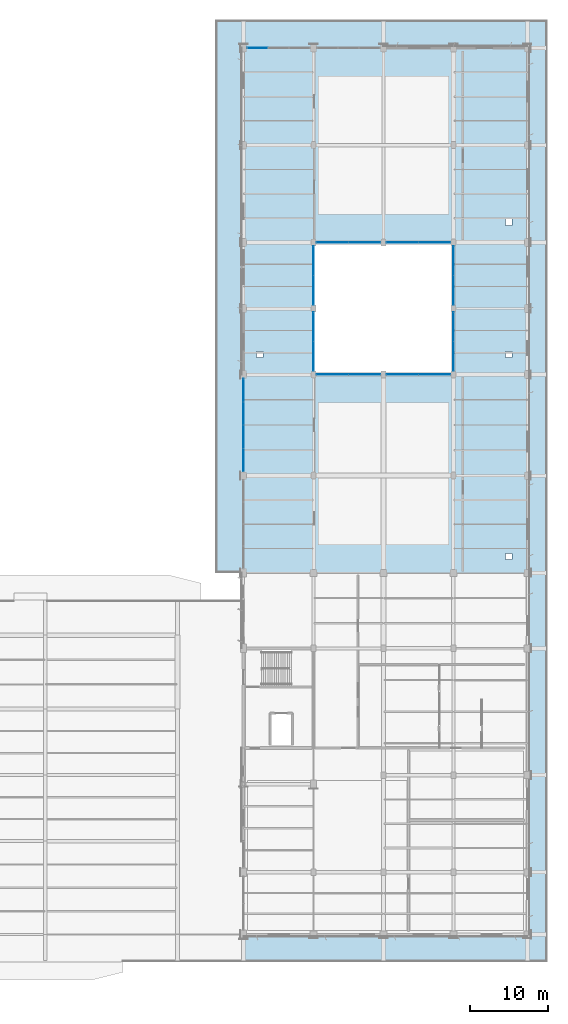
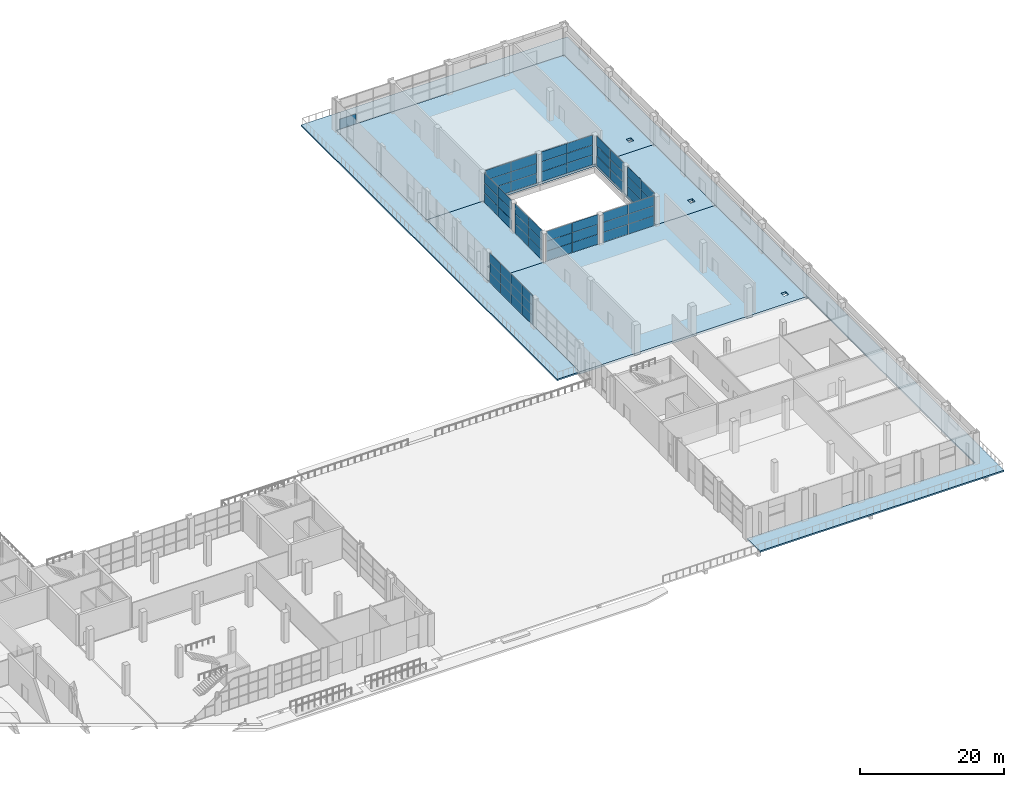
# One storey, part 64 of 90: 61 plates, 5 slabs, 10 elements without a shape of their own.
"""IFC4 building model written with IfcOpenShell, lengths in metres."""

from ifc_helpers import new_model, si_unit, direction, frame, origin, origin_2d, place, context, subcontext, project, spatial, polyline, rectangle, outline, extrude, material, layer, layer_set, type_object, element, aggregate, save


model = new_model("IFC4")

# Units and contexts
model_context = context("Model", 3, precision=1e-05, world=origin(), true_north=direction((0.0, 1.0)))
body_context = subcontext(model_context, "Body", "Model", "MODEL_VIEW")
ifc_project = project(units=[si_unit("LENGTHUNIT", "METRE"), si_unit("AREAUNIT", "SQUARE_METRE"), si_unit("VOLUMEUNIT", "CUBIC_METRE"), si_unit("PLANEANGLEUNIT", "RADIAN"), si_unit("MASSUNIT", "GRAM", prefix="KILO")], contexts=[model_context])

# Site, building, storey
site_placement = place(None, origin())
site = spatial("IfcSite", under=ifc_project, at=site_placement, CompositionType="ELEMENT")
building_placement = place(site_placement, origin())
building = spatial("IfcBuilding", under=site, at=building_placement, Name="Solvikara Media Centre", CompositionType="ELEMENT")
storey_placement = place(building_placement, origin())
storey = spatial("IfcBuildingStorey", under=building, at=storey_placement, Name="L00", CompositionType="ELEMENT", Elevation=0.0)

# Curtain wall, plates
ifc_material_1 = material(Name="Anodised aluminium EN AW-6063", Category="aluminium")
curtain_wall_type_1 = type_object("IfcCurtainWallType", Name="CW-11", PredefinedType="NOTDEFINED", material=ifc_material_1)
curtain_wall_1_placement = place(storey_placement, origin())
curtain_wall_1 = element("IfcCurtainWall", 1, at=curtain_wall_1_placement, inside=storey, type_object=curtain_wall_type_1, Name="CW-L00-V2W-1-S2", PredefinedType="NOTDEFINED")
ifc_material_2 = material(Name="Insulated silver-pearl glass spandrel panel", Category="glass")
ifc_layer_1 = layer(ifc_material_2, 0.054931640625)
ifc_layer_set_1 = layer_set([ifc_layer_1], Name="Insulated silver-pearl glass spandrel panel")
plate_type_1 = type_object("IfcPlateType", Name="PN-07", PredefinedType="CURTAIN_PANEL", material=ifc_layer_set_1)
plate_1_placement = place(storey_placement, frame((127.5, 61.030029296875, 1.7216796875), z_axis=(0.0, 0.0, 1.0), x_axis=(0.0, 1.0, 0.0)))
plate_1 = element("IfcPlate", 2, at=plate_1_placement, type_object=plate_type_1, Name="CW-L00-V2W-1-S2-P0001", PredefinedType="CURTAIN_PANEL", context=body_context, shape_type="SweptSolid", body=[
    extrude(rectangle(XDim=2.949951171875, YDim=0.054931640625, at=origin_2d()), origin(), (0.0, 0.0, 1.0), 1.656982421875),
])
plate_2_placement = place(storey_placement, frame((127.5, 64.010009765625, 0.03466796875), z_axis=(0.0, 0.0, 1.0), x_axis=(0.0, 1.0, 0.0)))
plate_2 = element("IfcPlate", 3, at=plate_2_placement, type_object=plate_type_1, Name="CW-L00-V2W-1-S2-P0100", PredefinedType="CURTAIN_PANEL", context=body_context, shape_type="SweptSolid", body=[
    extrude(rectangle(XDim=2.949951171875, YDim=0.054931640625, at=origin_2d()), origin(), (0.0, 0.0, 1.0), 1.656982421875),
])
plate_3_placement = place(storey_placement, frame((127.5, 64.010009765625, 3.40869140625), z_axis=(0.0, 0.0, 1.0), x_axis=(0.0, 1.0, 0.0)))
plate_3 = element("IfcPlate", 4, at=plate_3_placement, type_object=plate_type_1, Name="CW-L00-V2W-1-S2-P0102", PredefinedType="CURTAIN_PANEL", context=body_context, shape_type="SweptSolid", body=[
    extrude(rectangle(XDim=2.949951171875, YDim=0.054931640625, at=origin_2d()), origin(), (0.0, 0.0, 1.0), 1.656982421875),
])
plate_4_placement = place(storey_placement, frame((127.5, 66.989990234375, 1.7216796875), z_axis=(0.0, 0.0, 1.0), x_axis=(0.0, 1.0, 0.0)))
plate_4 = element("IfcPlate", 5, at=plate_4_placement, type_object=plate_type_1, Name="CW-L00-V2W-1-S2-P0201", PredefinedType="CURTAIN_PANEL", context=body_context, shape_type="SweptSolid", body=[
    extrude(rectangle(XDim=2.949951171875, YDim=0.054931640625, at=origin_2d()), origin(), (0.0, 0.0, 1.0), 1.656982421875),
])
plate_5_placement = place(storey_placement, frame((127.5, 69.969970703125, 0.03466796875), z_axis=(0.0, 0.0, 1.0), x_axis=(0.0, 1.0, 0.0)))
plate_5 = element("IfcPlate", 6, at=plate_5_placement, type_object=plate_type_1, Name="CW-L00-V2W-1-S2-P0300", PredefinedType="CURTAIN_PANEL", context=body_context, shape_type="SweptSolid", body=[
    extrude(rectangle(XDim=2.949951171875, YDim=0.054931640625, at=origin_2d()), origin(), (0.0, 0.0, 1.0), 1.656982421875),
])
plate_6_placement = place(storey_placement, frame((127.5, 69.969970703125, 3.40869140625), z_axis=(0.0, 0.0, 1.0), x_axis=(0.0, 1.0, 0.0)))
plate_6 = element("IfcPlate", 7, at=plate_6_placement, type_object=plate_type_1, Name="CW-L00-V2W-1-S2-P0302", PredefinedType="CURTAIN_PANEL", context=body_context, shape_type="SweptSolid", body=[
    extrude(rectangle(XDim=2.949951171875, YDim=0.054931640625, at=origin_2d()), origin(), (0.0, 0.0, 1.0), 1.656982421875),
])

curtain_wall_type_2 = type_object("IfcCurtainWallType", Name="CW-12", PredefinedType="NOTDEFINED", material=ifc_material_1)
curtain_wall_2_placement = place(storey_placement, origin())
curtain_wall_2 = element("IfcCurtainWall", 8, at=curtain_wall_2_placement, inside=storey, type_object=curtain_wall_type_2, Name="CW-L00-CRT-1-S1", PredefinedType="NOTDEFINED")
plate_7_placement = place(storey_placement, frame((138.945068359375, 72.0, 1.7216796875), z_axis=(0.0, 0.0, 1.0), x_axis=(1.0, 0.0, 0.0)))
plate_7 = element("IfcPlate", 9, at=plate_7_placement, type_object=plate_type_1, Name="CW-L00-CRT-1-S1-P0001", PredefinedType="CURTAIN_PANEL", context=body_context, shape_type="SweptSolid", body=[
    extrude(rectangle(XDim=4.080078125, YDim=0.054931640625, at=origin_2d()), origin(), (0.0, 0.0, 1.0), 1.656982421875),
])
plate_8_placement = place(storey_placement, frame((143.054931640625, 72.0, 0.03466796875), z_axis=(0.0, 0.0, 1.0), x_axis=(1.0, 0.0, 0.0)))
plate_8 = element("IfcPlate", 10, at=plate_8_placement, type_object=plate_type_1, Name="CW-L00-CRT-1-S1-P0100", PredefinedType="CURTAIN_PANEL", context=body_context, shape_type="SweptSolid", body=[
    extrude(rectangle(XDim=4.080078125, YDim=0.054931640625, at=origin_2d()), origin(), (0.0, 0.0, 1.0), 1.656982421875),
])
plate_9_placement = place(storey_placement, frame((143.054931640625, 72.0, 3.40869140625), z_axis=(0.0, 0.0, 1.0), x_axis=(1.0, 0.0, 0.0)))
plate_9 = element("IfcPlate", 11, at=plate_9_placement, type_object=plate_type_1, Name="CW-L00-CRT-1-S1-P0102", PredefinedType="CURTAIN_PANEL", context=body_context, shape_type="SweptSolid", body=[
    extrude(rectangle(XDim=4.080078125, YDim=0.054931640625, at=origin_2d()), origin(), (0.0, 0.0, 1.0), 1.656982421875),
])

curtain_wall_3_placement = place(storey_placement, origin())
curtain_wall_3 = element("IfcCurtainWall", 12, at=curtain_wall_3_placement, inside=storey, type_object=curtain_wall_type_2, Name="CW-L00-CRT-1-S2", PredefinedType="NOTDEFINED")
plate_10_placement = place(storey_placement, frame((147.945068359375, 72.0, 1.7216796875), z_axis=(0.0, 0.0, 1.0), x_axis=(1.0, 0.0, 0.0)))
plate_10 = element("IfcPlate", 13, at=plate_10_placement, type_object=plate_type_1, Name="CW-L00-CRT-1-S2-P0001", PredefinedType="CURTAIN_PANEL", context=body_context, shape_type="SweptSolid", body=[
    extrude(rectangle(XDim=4.080078125, YDim=0.054931640625, at=origin_2d()), origin(), (0.0, 0.0, 1.0), 1.656982421875),
])
plate_11_placement = place(storey_placement, frame((152.054931640625, 72.0, 0.03466796875), z_axis=(0.0, 0.0, 1.0), x_axis=(1.0, 0.0, 0.0)))
plate_11 = element("IfcPlate", 14, at=plate_11_placement, type_object=plate_type_1, Name="CW-L00-CRT-1-S2-P0100", PredefinedType="CURTAIN_PANEL", context=body_context, shape_type="SweptSolid", body=[
    extrude(rectangle(XDim=4.080078125, YDim=0.054931640625, at=origin_2d()), origin(), (0.0, 0.0, 1.0), 1.656982421875),
])
plate_12_placement = place(storey_placement, frame((152.054931640625, 72.0, 3.40869140625), z_axis=(0.0, 0.0, 1.0), x_axis=(1.0, 0.0, 0.0)))
plate_12 = element("IfcPlate", 15, at=plate_12_placement, type_object=plate_type_1, Name="CW-L00-CRT-1-S2-P0102", PredefinedType="CURTAIN_PANEL", context=body_context, shape_type="SweptSolid", body=[
    extrude(rectangle(XDim=4.080078125, YDim=0.054931640625, at=origin_2d()), origin(), (0.0, 0.0, 1.0), 1.656982421875),
])

curtain_wall_4_placement = place(storey_placement, origin())
curtain_wall_4 = element("IfcCurtainWall", 16, at=curtain_wall_4_placement, inside=storey, type_object=curtain_wall_type_2, Name="CW-L00-CRT-2-S1", PredefinedType="NOTDEFINED")
plate_13_placement = place(storey_placement, frame((154.5, 74.3701171875, 1.7216796875), z_axis=(0.0, 0.0, 1.0), x_axis=(0.0, 1.0, 0.0)))
plate_13 = element("IfcPlate", 17, at=plate_13_placement, type_object=plate_type_1, Name="CW-L00-CRT-2-S1-P0001", PredefinedType="CURTAIN_PANEL", context=body_context, shape_type="SweptSolid", body=[
    extrude(rectangle(XDim=3.72998046875, YDim=0.054931640625, at=origin_2d()), origin(), (0.0, 0.0, 1.0), 1.656982421875),
])
plate_14_placement = place(storey_placement, frame((154.5, 78.1298828125, 0.03466796875), z_axis=(0.0, 0.0, 1.0), x_axis=(0.0, 1.0, 0.0)))
plate_14 = element("IfcPlate", 18, at=plate_14_placement, type_object=plate_type_1, Name="CW-L00-CRT-2-S1-P0100", PredefinedType="CURTAIN_PANEL", context=body_context, shape_type="SweptSolid", body=[
    extrude(rectangle(XDim=3.72998046875, YDim=0.054931640625, at=origin_2d()), origin(), (0.0, 0.0, 1.0), 1.656982421875),
])
plate_15_placement = place(storey_placement, frame((154.5, 78.1298828125, 3.40869140625), z_axis=(0.0, 0.0, 1.0), x_axis=(0.0, 1.0, 0.0)))
plate_15 = element("IfcPlate", 19, at=plate_15_placement, type_object=plate_type_1, Name="CW-L00-CRT-2-S1-P0102", PredefinedType="CURTAIN_PANEL", context=body_context, shape_type="SweptSolid", body=[
    extrude(rectangle(XDim=3.72998046875, YDim=0.054931640625, at=origin_2d()), origin(), (0.0, 0.0, 1.0), 1.656982421875),
])

curtain_wall_5_placement = place(storey_placement, origin())
curtain_wall_5 = element("IfcCurtainWall", 20, at=curtain_wall_5_placement, inside=storey, type_object=curtain_wall_type_2, Name="CW-L00-CRT-2-S2", PredefinedType="NOTDEFINED")
plate_16_placement = place(storey_placement, frame((154.5, 82.8701171875, 1.7216796875), z_axis=(0.0, 0.0, 1.0), x_axis=(0.0, 1.0, 0.0)))
plate_16 = element("IfcPlate", 21, at=plate_16_placement, type_object=plate_type_1, Name="CW-L00-CRT-2-S2-P0001", PredefinedType="CURTAIN_PANEL", context=body_context, shape_type="SweptSolid", body=[
    extrude(rectangle(XDim=3.72998046875, YDim=0.054931640625, at=origin_2d()), origin(), (0.0, 0.0, 1.0), 1.656982421875),
])
plate_17_placement = place(storey_placement, frame((154.5, 86.6298828125, 0.03466796875), z_axis=(0.0, 0.0, 1.0), x_axis=(0.0, 1.0, 0.0)))
plate_17 = element("IfcPlate", 22, at=plate_17_placement, type_object=plate_type_1, Name="CW-L00-CRT-2-S2-P0100", PredefinedType="CURTAIN_PANEL", context=body_context, shape_type="SweptSolid", body=[
    extrude(rectangle(XDim=3.72998046875, YDim=0.054931640625, at=origin_2d()), origin(), (0.0, 0.0, 1.0), 1.656982421875),
])
plate_18_placement = place(storey_placement, frame((154.5, 86.6298828125, 3.40869140625), z_axis=(0.0, 0.0, 1.0), x_axis=(0.0, 1.0, 0.0)))
plate_18 = element("IfcPlate", 23, at=plate_18_placement, type_object=plate_type_1, Name="CW-L00-CRT-2-S2-P0102", PredefinedType="CURTAIN_PANEL", context=body_context, shape_type="SweptSolid", body=[
    extrude(rectangle(XDim=3.72998046875, YDim=0.054931640625, at=origin_2d()), origin(), (0.0, 0.0, 1.0), 1.656982421875),
])

curtain_wall_6_placement = place(storey_placement, origin())
curtain_wall_6 = element("IfcCurtainWall", 24, at=curtain_wall_6_placement, inside=storey, type_object=curtain_wall_type_2, Name="CW-L00-CRT-3-S1", PredefinedType="NOTDEFINED")
plate_19_placement = place(storey_placement, frame((152.054931640625, 89.0, 1.7216796875), z_axis=(0.0, 0.0, 1.0), x_axis=(-1.0, 0.0, 0.0)))
plate_19 = element("IfcPlate", 25, at=plate_19_placement, type_object=plate_type_1, Name="CW-L00-CRT-3-S1-P0001", PredefinedType="CURTAIN_PANEL", context=body_context, shape_type="SweptSolid", body=[
    extrude(rectangle(XDim=4.080078125, YDim=0.054931640625, at=origin_2d()), origin(), (0.0, 0.0, 1.0), 1.656982421875),
])
plate_20_placement = place(storey_placement, frame((147.945068359375, 89.0, 0.03466796875), z_axis=(0.0, 0.0, 1.0), x_axis=(-1.0, 0.0, 0.0)))
plate_20 = element("IfcPlate", 26, at=plate_20_placement, type_object=plate_type_1, Name="CW-L00-CRT-3-S1-P0100", PredefinedType="CURTAIN_PANEL", context=body_context, shape_type="SweptSolid", body=[
    extrude(rectangle(XDim=4.080078125, YDim=0.054931640625, at=origin_2d()), origin(), (0.0, 0.0, 1.0), 1.656982421875),
])
plate_21_placement = place(storey_placement, frame((147.945068359375, 89.0, 3.40869140625), z_axis=(0.0, 0.0, 1.0), x_axis=(-1.0, 0.0, 0.0)))
plate_21 = element("IfcPlate", 27, at=plate_21_placement, type_object=plate_type_1, Name="CW-L00-CRT-3-S1-P0102", PredefinedType="CURTAIN_PANEL", context=body_context, shape_type="SweptSolid", body=[
    extrude(rectangle(XDim=4.080078125, YDim=0.054931640625, at=origin_2d()), origin(), (0.0, 0.0, 1.0), 1.656982421875),
])

curtain_wall_7_placement = place(storey_placement, origin())
curtain_wall_7 = element("IfcCurtainWall", 28, at=curtain_wall_7_placement, inside=storey, type_object=curtain_wall_type_2, Name="CW-L00-CRT-3-S2", PredefinedType="NOTDEFINED")
plate_22_placement = place(storey_placement, frame((143.054931640625, 89.0, 1.7216796875), z_axis=(0.0, 0.0, 1.0), x_axis=(-1.0, 0.0, 0.0)))
plate_22 = element("IfcPlate", 29, at=plate_22_placement, type_object=plate_type_1, Name="CW-L00-CRT-3-S2-P0001", PredefinedType="CURTAIN_PANEL", context=body_context, shape_type="SweptSolid", body=[
    extrude(rectangle(XDim=4.080078125, YDim=0.054931640625, at=origin_2d()), origin(), (0.0, 0.0, 1.0), 1.656982421875),
])
plate_23_placement = place(storey_placement, frame((138.945068359375, 89.0, 0.03466796875), z_axis=(0.0, 0.0, 1.0), x_axis=(-1.0, 0.0, 0.0)))
plate_23 = element("IfcPlate", 30, at=plate_23_placement, type_object=plate_type_1, Name="CW-L00-CRT-3-S2-P0100", PredefinedType="CURTAIN_PANEL", context=body_context, shape_type="SweptSolid", body=[
    extrude(rectangle(XDim=4.080078125, YDim=0.054931640625, at=origin_2d()), origin(), (0.0, 0.0, 1.0), 1.656982421875),
])
plate_24_placement = place(storey_placement, frame((138.945068359375, 89.0, 3.40869140625), z_axis=(0.0, 0.0, 1.0), x_axis=(-1.0, 0.0, 0.0)))
plate_24 = element("IfcPlate", 31, at=plate_24_placement, type_object=plate_type_1, Name="CW-L00-CRT-3-S2-P0102", PredefinedType="CURTAIN_PANEL", context=body_context, shape_type="SweptSolid", body=[
    extrude(rectangle(XDim=4.080078125, YDim=0.054931640625, at=origin_2d()), origin(), (0.0, 0.0, 1.0), 1.656982421875),
])

curtain_wall_8_placement = place(storey_placement, origin())
curtain_wall_8 = element("IfcCurtainWall", 32, at=curtain_wall_8_placement, inside=storey, type_object=curtain_wall_type_2, Name="CW-L00-CRT-4-S1", PredefinedType="NOTDEFINED")
plate_25_placement = place(storey_placement, frame((136.5, 86.6298828125, 1.7216796875), z_axis=(0.0, 0.0, 1.0), x_axis=(0.0, -1.0, 0.0)))
plate_25 = element("IfcPlate", 33, at=plate_25_placement, type_object=plate_type_1, Name="CW-L00-CRT-4-S1-P0001", PredefinedType="CURTAIN_PANEL", context=body_context, shape_type="SweptSolid", body=[
    extrude(rectangle(XDim=3.72998046875, YDim=0.054931640625, at=origin_2d()), origin(), (0.0, 0.0, 1.0), 1.656982421875),
])
plate_26_placement = place(storey_placement, frame((136.5, 82.8701171875, 0.03466796875), z_axis=(0.0, 0.0, 1.0), x_axis=(0.0, -1.0, 0.0)))
plate_26 = element("IfcPlate", 34, at=plate_26_placement, type_object=plate_type_1, Name="CW-L00-CRT-4-S1-P0100", PredefinedType="CURTAIN_PANEL", context=body_context, shape_type="SweptSolid", body=[
    extrude(rectangle(XDim=3.72998046875, YDim=0.054931640625, at=origin_2d()), origin(), (0.0, 0.0, 1.0), 1.656982421875),
])
plate_27_placement = place(storey_placement, frame((136.5, 82.8701171875, 3.40869140625), z_axis=(0.0, 0.0, 1.0), x_axis=(0.0, -1.0, 0.0)))
plate_27 = element("IfcPlate", 35, at=plate_27_placement, type_object=plate_type_1, Name="CW-L00-CRT-4-S1-P0102", PredefinedType="CURTAIN_PANEL", context=body_context, shape_type="SweptSolid", body=[
    extrude(rectangle(XDim=3.72998046875, YDim=0.054931640625, at=origin_2d()), origin(), (0.0, 0.0, 1.0), 1.656982421875),
])

curtain_wall_9_placement = place(storey_placement, origin())
curtain_wall_9 = element("IfcCurtainWall", 36, at=curtain_wall_9_placement, inside=storey, type_object=curtain_wall_type_2, Name="CW-L00-CRT-4-S2", PredefinedType="NOTDEFINED")
plate_28_placement = place(storey_placement, frame((136.5, 78.1298828125, 1.7216796875), z_axis=(0.0, 0.0, 1.0), x_axis=(0.0, -1.0, 0.0)))
plate_28 = element("IfcPlate", 37, at=plate_28_placement, type_object=plate_type_1, Name="CW-L00-CRT-4-S2-P0001", PredefinedType="CURTAIN_PANEL", context=body_context, shape_type="SweptSolid", body=[
    extrude(rectangle(XDim=3.72998046875, YDim=0.054931640625, at=origin_2d()), origin(), (0.0, 0.0, 1.0), 1.656982421875),
])
plate_29_placement = place(storey_placement, frame((136.5, 74.3701171875, 0.03466796875), z_axis=(0.0, 0.0, 1.0), x_axis=(0.0, -1.0, 0.0)))
plate_29 = element("IfcPlate", 38, at=plate_29_placement, type_object=plate_type_1, Name="CW-L00-CRT-4-S2-P0100", PredefinedType="CURTAIN_PANEL", context=body_context, shape_type="SweptSolid", body=[
    extrude(rectangle(XDim=3.72998046875, YDim=0.054931640625, at=origin_2d()), origin(), (0.0, 0.0, 1.0), 1.656982421875),
])
plate_30_placement = place(storey_placement, frame((136.5, 74.3701171875, 3.40869140625), z_axis=(0.0, 0.0, 1.0), x_axis=(0.0, -1.0, 0.0)))
plate_30 = element("IfcPlate", 39, at=plate_30_placement, type_object=plate_type_1, Name="CW-L00-CRT-4-S2-P0102", PredefinedType="CURTAIN_PANEL", context=body_context, shape_type="SweptSolid", body=[
    extrude(rectangle(XDim=3.72998046875, YDim=0.054931640625, at=origin_2d()), origin(), (0.0, 0.0, 1.0), 1.656982421875),
])

# Curtain wall, plate
curtain_wall_10_placement = place(storey_placement, origin())
curtain_wall_10 = element("IfcCurtainWall", 40, at=curtain_wall_10_placement, inside=storey, type_object=curtain_wall_type_1, Name="CW-L00-V2N-1-S1", PredefinedType="NOTDEFINED")
ifc_material_3 = material(Name="Ceramic-fritted teal low-E glass", Category="glass")
ifc_layer_2 = layer(ifc_material_3, 0.0380859375)
ifc_layer_set_2 = layer_set([ifc_layer_2], Name="Ceramic-fritted teal low-E glass")
plate_type_2 = type_object("IfcPlateType", Name="PN-12", PredefinedType="CURTAIN_PANEL", material=ifc_layer_set_2)
plate_31_placement = place(storey_placement, frame((129.29296875, 114.0, 0.03466796875), z_axis=(0.0, 0.0, 1.0), x_axis=(1.0, 0.0, 0.0)))
plate_31 = element("IfcPlate", 41, at=plate_31_placement, type_object=plate_type_2, Name="CW-L00-V2N-1-S1-P0000", PredefinedType="CURTAIN_PANEL", context=body_context, shape_type="SweptSolid", body=[
    extrude(rectangle(XDim=2.677001953125, YDim=0.0380859375, at=origin_2d()), origin(), (0.0, 0.0, 1.0), 1.656982421875),
])
aggregate(curtain_wall_10, [plate_31])

# Plate
plate_32_placement = place(storey_placement, frame((127.5, 61.030029296875, 0.03466796875), z_axis=(0.0, 0.0, 1.0), x_axis=(0.0, 1.0, 0.0)))
plate_32 = element("IfcPlate", 42, at=plate_32_placement, type_object=plate_type_2, Name="CW-L00-V2W-1-S2-P0000", PredefinedType="CURTAIN_PANEL", context=body_context, shape_type="SweptSolid", body=[
    extrude(rectangle(XDim=2.949951171875, YDim=0.0380859375, at=origin_2d()), origin(), (0.0, 0.0, 1.0), 1.656982421875),
])

plate_33_placement = place(storey_placement, frame((127.5, 61.030029296875, 3.40869140625), z_axis=(0.0, 0.0, 1.0), x_axis=(0.0, 1.0, 0.0)))
plate_33 = element("IfcPlate", 43, at=plate_33_placement, type_object=plate_type_2, Name="CW-L00-V2W-1-S2-P0002", PredefinedType="CURTAIN_PANEL", context=body_context, shape_type="SweptSolid", body=[
    extrude(rectangle(XDim=2.949951171875, YDim=0.0380859375, at=origin_2d()), origin(), (0.0, 0.0, 1.0), 1.656982421875),
])

plate_34_placement = place(storey_placement, frame((127.5, 64.010009765625, 1.7216796875), z_axis=(0.0, 0.0, 1.0), x_axis=(0.0, 1.0, 0.0)))
plate_34 = element("IfcPlate", 44, at=plate_34_placement, type_object=plate_type_2, Name="CW-L00-V2W-1-S2-P0101", PredefinedType="CURTAIN_PANEL", context=body_context, shape_type="SweptSolid", body=[
    extrude(rectangle(XDim=2.949951171875, YDim=0.0380859375, at=origin_2d()), origin(), (0.0, 0.0, 1.0), 1.656982421875),
])

plate_35_placement = place(storey_placement, frame((127.5, 66.989990234375, 0.03466796875), z_axis=(0.0, 0.0, 1.0), x_axis=(0.0, 1.0, 0.0)))
plate_35 = element("IfcPlate", 45, at=plate_35_placement, type_object=plate_type_2, Name="CW-L00-V2W-1-S2-P0200", PredefinedType="CURTAIN_PANEL", context=body_context, shape_type="SweptSolid", body=[
    extrude(rectangle(XDim=2.949951171875, YDim=0.0380859375, at=origin_2d()), origin(), (0.0, 0.0, 1.0), 1.656982421875),
])

plate_36_placement = place(storey_placement, frame((127.5, 66.989990234375, 3.40869140625), z_axis=(0.0, 0.0, 1.0), x_axis=(0.0, 1.0, 0.0)))
plate_36 = element("IfcPlate", 46, at=plate_36_placement, type_object=plate_type_2, Name="CW-L00-V2W-1-S2-P0202", PredefinedType="CURTAIN_PANEL", context=body_context, shape_type="SweptSolid", body=[
    extrude(rectangle(XDim=2.949951171875, YDim=0.0380859375, at=origin_2d()), origin(), (0.0, 0.0, 1.0), 1.656982421875),
])

plate_37_placement = place(storey_placement, frame((127.5, 69.969970703125, 1.7216796875), z_axis=(0.0, 0.0, 1.0), x_axis=(0.0, 1.0, 0.0)))
plate_37 = element("IfcPlate", 47, at=plate_37_placement, type_object=plate_type_2, Name="CW-L00-V2W-1-S2-P0301", PredefinedType="CURTAIN_PANEL", context=body_context, shape_type="SweptSolid", body=[
    extrude(rectangle(XDim=2.949951171875, YDim=0.0380859375, at=origin_2d()), origin(), (0.0, 0.0, 1.0), 1.656982421875),
])

aggregate(curtain_wall_1, [plate_32, plate_1, plate_33, plate_2, plate_34, plate_3, plate_35, plate_4, plate_36, plate_5, plate_37, plate_6])

plate_38_placement = place(storey_placement, frame((138.945068359375, 72.0, 0.03466796875), z_axis=(0.0, 0.0, 1.0), x_axis=(1.0, 0.0, 0.0)))
plate_38 = element("IfcPlate", 48, at=plate_38_placement, type_object=plate_type_2, Name="CW-L00-CRT-1-S1-P0000", PredefinedType="CURTAIN_PANEL", context=body_context, shape_type="SweptSolid", body=[
    extrude(rectangle(XDim=4.080078125, YDim=0.0380859375, at=origin_2d()), origin(), (0.0, 0.0, 1.0), 1.656982421875),
])

plate_39_placement = place(storey_placement, frame((138.945068359375, 72.0, 3.40869140625), z_axis=(0.0, 0.0, 1.0), x_axis=(1.0, 0.0, 0.0)))
plate_39 = element("IfcPlate", 49, at=plate_39_placement, type_object=plate_type_2, Name="CW-L00-CRT-1-S1-P0002", PredefinedType="CURTAIN_PANEL", context=body_context, shape_type="SweptSolid", body=[
    extrude(rectangle(XDim=4.080078125, YDim=0.0380859375, at=origin_2d()), origin(), (0.0, 0.0, 1.0), 1.656982421875),
])

plate_40_placement = place(storey_placement, frame((143.054931640625, 72.0, 1.7216796875), z_axis=(0.0, 0.0, 1.0), x_axis=(1.0, 0.0, 0.0)))
plate_40 = element("IfcPlate", 50, at=plate_40_placement, type_object=plate_type_2, Name="CW-L00-CRT-1-S1-P0101", PredefinedType="CURTAIN_PANEL", context=body_context, shape_type="SweptSolid", body=[
    extrude(rectangle(XDim=4.080078125, YDim=0.0380859375, at=origin_2d()), origin(), (0.0, 0.0, 1.0), 1.656982421875),
])

aggregate(curtain_wall_2, [plate_38, plate_7, plate_39, plate_8, plate_40, plate_9])

plate_41_placement = place(storey_placement, frame((147.945068359375, 72.0, 0.03466796875), z_axis=(0.0, 0.0, 1.0), x_axis=(1.0, 0.0, 0.0)))
plate_41 = element("IfcPlate", 51, at=plate_41_placement, type_object=plate_type_2, Name="CW-L00-CRT-1-S2-P0000", PredefinedType="CURTAIN_PANEL", context=body_context, shape_type="SweptSolid", body=[
    extrude(rectangle(XDim=4.080078125, YDim=0.0380859375, at=origin_2d()), origin(), (0.0, 0.0, 1.0), 1.656982421875),
])

plate_42_placement = place(storey_placement, frame((147.945068359375, 72.0, 3.40869140625), z_axis=(0.0, 0.0, 1.0), x_axis=(1.0, 0.0, 0.0)))
plate_42 = element("IfcPlate", 52, at=plate_42_placement, type_object=plate_type_2, Name="CW-L00-CRT-1-S2-P0002", PredefinedType="CURTAIN_PANEL", context=body_context, shape_type="SweptSolid", body=[
    extrude(rectangle(XDim=4.080078125, YDim=0.0380859375, at=origin_2d()), origin(), (0.0, 0.0, 1.0), 1.656982421875),
])

plate_43_placement = place(storey_placement, frame((152.054931640625, 72.0, 1.7216796875), z_axis=(0.0, 0.0, 1.0), x_axis=(1.0, 0.0, 0.0)))
plate_43 = element("IfcPlate", 53, at=plate_43_placement, type_object=plate_type_2, Name="CW-L00-CRT-1-S2-P0101", PredefinedType="CURTAIN_PANEL", context=body_context, shape_type="SweptSolid", body=[
    extrude(rectangle(XDim=4.080078125, YDim=0.0380859375, at=origin_2d()), origin(), (0.0, 0.0, 1.0), 1.656982421875),
])

aggregate(curtain_wall_3, [plate_41, plate_10, plate_42, plate_11, plate_43, plate_12])

plate_44_placement = place(storey_placement, frame((154.5, 74.3701171875, 0.03466796875), z_axis=(0.0, 0.0, 1.0), x_axis=(0.0, 1.0, 0.0)))
plate_44 = element("IfcPlate", 54, at=plate_44_placement, type_object=plate_type_2, Name="CW-L00-CRT-2-S1-P0000", PredefinedType="CURTAIN_PANEL", context=body_context, shape_type="SweptSolid", body=[
    extrude(rectangle(XDim=3.72998046875, YDim=0.0380859375, at=origin_2d()), origin(), (0.0, 0.0, 1.0), 1.656982421875),
])

plate_45_placement = place(storey_placement, frame((154.5, 74.3701171875, 3.40869140625), z_axis=(0.0, 0.0, 1.0), x_axis=(0.0, 1.0, 0.0)))
plate_45 = element("IfcPlate", 55, at=plate_45_placement, type_object=plate_type_2, Name="CW-L00-CRT-2-S1-P0002", PredefinedType="CURTAIN_PANEL", context=body_context, shape_type="SweptSolid", body=[
    extrude(rectangle(XDim=3.72998046875, YDim=0.0380859375, at=origin_2d()), origin(), (0.0, 0.0, 1.0), 1.656982421875),
])

plate_46_placement = place(storey_placement, frame((154.5, 78.1298828125, 1.7216796875), z_axis=(0.0, 0.0, 1.0), x_axis=(0.0, 1.0, 0.0)))
plate_46 = element("IfcPlate", 56, at=plate_46_placement, type_object=plate_type_2, Name="CW-L00-CRT-2-S1-P0101", PredefinedType="CURTAIN_PANEL", context=body_context, shape_type="SweptSolid", body=[
    extrude(rectangle(XDim=3.72998046875, YDim=0.0380859375, at=origin_2d()), origin(), (0.0, 0.0, 1.0), 1.656982421875),
])

aggregate(curtain_wall_4, [plate_44, plate_13, plate_45, plate_14, plate_46, plate_15])

plate_47_placement = place(storey_placement, frame((154.5, 82.8701171875, 0.03466796875), z_axis=(0.0, 0.0, 1.0), x_axis=(0.0, 1.0, 0.0)))
plate_47 = element("IfcPlate", 57, at=plate_47_placement, type_object=plate_type_2, Name="CW-L00-CRT-2-S2-P0000", PredefinedType="CURTAIN_PANEL", context=body_context, shape_type="SweptSolid", body=[
    extrude(rectangle(XDim=3.72998046875, YDim=0.0380859375, at=origin_2d()), origin(), (0.0, 0.0, 1.0), 1.656982421875),
])

plate_48_placement = place(storey_placement, frame((154.5, 82.8701171875, 3.40869140625), z_axis=(0.0, 0.0, 1.0), x_axis=(0.0, 1.0, 0.0)))
plate_48 = element("IfcPlate", 58, at=plate_48_placement, type_object=plate_type_2, Name="CW-L00-CRT-2-S2-P0002", PredefinedType="CURTAIN_PANEL", context=body_context, shape_type="SweptSolid", body=[
    extrude(rectangle(XDim=3.72998046875, YDim=0.0380859375, at=origin_2d()), origin(), (0.0, 0.0, 1.0), 1.656982421875),
])

plate_49_placement = place(storey_placement, frame((154.5, 86.6298828125, 1.7216796875), z_axis=(0.0, 0.0, 1.0), x_axis=(0.0, 1.0, 0.0)))
plate_49 = element("IfcPlate", 59, at=plate_49_placement, type_object=plate_type_2, Name="CW-L00-CRT-2-S2-P0101", PredefinedType="CURTAIN_PANEL", context=body_context, shape_type="SweptSolid", body=[
    extrude(rectangle(XDim=3.72998046875, YDim=0.0380859375, at=origin_2d()), origin(), (0.0, 0.0, 1.0), 1.656982421875),
])

aggregate(curtain_wall_5, [plate_47, plate_16, plate_48, plate_17, plate_49, plate_18])

plate_50_placement = place(storey_placement, frame((152.054931640625, 89.0, 0.03466796875), z_axis=(0.0, 0.0, 1.0), x_axis=(-1.0, 0.0, 0.0)))
plate_50 = element("IfcPlate", 60, at=plate_50_placement, type_object=plate_type_2, Name="CW-L00-CRT-3-S1-P0000", PredefinedType="CURTAIN_PANEL", context=body_context, shape_type="SweptSolid", body=[
    extrude(rectangle(XDim=4.080078125, YDim=0.0380859375, at=origin_2d()), origin(), (0.0, 0.0, 1.0), 1.656982421875),
])

plate_51_placement = place(storey_placement, frame((152.054931640625, 89.0, 3.40869140625), z_axis=(0.0, 0.0, 1.0), x_axis=(-1.0, 0.0, 0.0)))
plate_51 = element("IfcPlate", 61, at=plate_51_placement, type_object=plate_type_2, Name="CW-L00-CRT-3-S1-P0002", PredefinedType="CURTAIN_PANEL", context=body_context, shape_type="SweptSolid", body=[
    extrude(rectangle(XDim=4.080078125, YDim=0.0380859375, at=origin_2d()), origin(), (0.0, 0.0, 1.0), 1.656982421875),
])

plate_52_placement = place(storey_placement, frame((147.945068359375, 89.0, 1.7216796875), z_axis=(0.0, 0.0, 1.0), x_axis=(-1.0, 0.0, 0.0)))
plate_52 = element("IfcPlate", 62, at=plate_52_placement, type_object=plate_type_2, Name="CW-L00-CRT-3-S1-P0101", PredefinedType="CURTAIN_PANEL", context=body_context, shape_type="SweptSolid", body=[
    extrude(rectangle(XDim=4.080078125, YDim=0.0380859375, at=origin_2d()), origin(), (0.0, 0.0, 1.0), 1.656982421875),
])

aggregate(curtain_wall_6, [plate_50, plate_19, plate_51, plate_20, plate_52, plate_21])

plate_53_placement = place(storey_placement, frame((143.054931640625, 89.0, 0.03466796875), z_axis=(0.0, 0.0, 1.0), x_axis=(-1.0, 0.0, 0.0)))
plate_53 = element("IfcPlate", 63, at=plate_53_placement, type_object=plate_type_2, Name="CW-L00-CRT-3-S2-P0000", PredefinedType="CURTAIN_PANEL", context=body_context, shape_type="SweptSolid", body=[
    extrude(rectangle(XDim=4.080078125, YDim=0.0380859375, at=origin_2d()), origin(), (0.0, 0.0, 1.0), 1.656982421875),
])

plate_54_placement = place(storey_placement, frame((143.054931640625, 89.0, 3.40869140625), z_axis=(0.0, 0.0, 1.0), x_axis=(-1.0, 0.0, 0.0)))
plate_54 = element("IfcPlate", 64, at=plate_54_placement, type_object=plate_type_2, Name="CW-L00-CRT-3-S2-P0002", PredefinedType="CURTAIN_PANEL", context=body_context, shape_type="SweptSolid", body=[
    extrude(rectangle(XDim=4.080078125, YDim=0.0380859375, at=origin_2d()), origin(), (0.0, 0.0, 1.0), 1.656982421875),
])

plate_55_placement = place(storey_placement, frame((138.945068359375, 89.0, 1.7216796875), z_axis=(0.0, 0.0, 1.0), x_axis=(-1.0, 0.0, 0.0)))
plate_55 = element("IfcPlate", 65, at=plate_55_placement, type_object=plate_type_2, Name="CW-L00-CRT-3-S2-P0101", PredefinedType="CURTAIN_PANEL", context=body_context, shape_type="SweptSolid", body=[
    extrude(rectangle(XDim=4.080078125, YDim=0.0380859375, at=origin_2d()), origin(), (0.0, 0.0, 1.0), 1.656982421875),
])

aggregate(curtain_wall_7, [plate_53, plate_22, plate_54, plate_23, plate_55, plate_24])

plate_56_placement = place(storey_placement, frame((136.5, 86.6298828125, 0.03466796875), z_axis=(0.0, 0.0, 1.0), x_axis=(0.0, -1.0, 0.0)))
plate_56 = element("IfcPlate", 66, at=plate_56_placement, type_object=plate_type_2, Name="CW-L00-CRT-4-S1-P0000", PredefinedType="CURTAIN_PANEL", context=body_context, shape_type="SweptSolid", body=[
    extrude(rectangle(XDim=3.72998046875, YDim=0.0380859375, at=origin_2d()), origin(), (0.0, 0.0, 1.0), 1.656982421875),
])

plate_57_placement = place(storey_placement, frame((136.5, 86.6298828125, 3.40869140625), z_axis=(0.0, 0.0, 1.0), x_axis=(0.0, -1.0, 0.0)))
plate_57 = element("IfcPlate", 67, at=plate_57_placement, type_object=plate_type_2, Name="CW-L00-CRT-4-S1-P0002", PredefinedType="CURTAIN_PANEL", context=body_context, shape_type="SweptSolid", body=[
    extrude(rectangle(XDim=3.72998046875, YDim=0.0380859375, at=origin_2d()), origin(), (0.0, 0.0, 1.0), 1.656982421875),
])

plate_58_placement = place(storey_placement, frame((136.5, 82.8701171875, 1.7216796875), z_axis=(0.0, 0.0, 1.0), x_axis=(0.0, -1.0, 0.0)))
plate_58 = element("IfcPlate", 68, at=plate_58_placement, type_object=plate_type_2, Name="CW-L00-CRT-4-S1-P0101", PredefinedType="CURTAIN_PANEL", context=body_context, shape_type="SweptSolid", body=[
    extrude(rectangle(XDim=3.72998046875, YDim=0.0380859375, at=origin_2d()), origin(), (0.0, 0.0, 1.0), 1.656982421875),
])

aggregate(curtain_wall_8, [plate_56, plate_25, plate_57, plate_26, plate_58, plate_27])

plate_59_placement = place(storey_placement, frame((136.5, 78.1298828125, 0.03466796875), z_axis=(0.0, 0.0, 1.0), x_axis=(0.0, -1.0, 0.0)))
plate_59 = element("IfcPlate", 69, at=plate_59_placement, type_object=plate_type_2, Name="CW-L00-CRT-4-S2-P0000", PredefinedType="CURTAIN_PANEL", context=body_context, shape_type="SweptSolid", body=[
    extrude(rectangle(XDim=3.72998046875, YDim=0.0380859375, at=origin_2d()), origin(), (0.0, 0.0, 1.0), 1.656982421875),
])

plate_60_placement = place(storey_placement, frame((136.5, 78.1298828125, 3.40869140625), z_axis=(0.0, 0.0, 1.0), x_axis=(0.0, -1.0, 0.0)))
plate_60 = element("IfcPlate", 70, at=plate_60_placement, type_object=plate_type_2, Name="CW-L00-CRT-4-S2-P0002", PredefinedType="CURTAIN_PANEL", context=body_context, shape_type="SweptSolid", body=[
    extrude(rectangle(XDim=3.72998046875, YDim=0.0380859375, at=origin_2d()), origin(), (0.0, 0.0, 1.0), 1.656982421875),
])

plate_61_placement = place(storey_placement, frame((136.5, 74.3701171875, 1.7216796875), z_axis=(0.0, 0.0, 1.0), x_axis=(0.0, -1.0, 0.0)))
plate_61 = element("IfcPlate", 71, at=plate_61_placement, type_object=plate_type_2, Name="CW-L00-CRT-4-S2-P0101", PredefinedType="CURTAIN_PANEL", context=body_context, shape_type="SweptSolid", body=[
    extrude(rectangle(XDim=3.72998046875, YDim=0.0380859375, at=origin_2d()), origin(), (0.0, 0.0, 1.0), 1.656982421875),
])

aggregate(curtain_wall_9, [plate_59, plate_28, plate_60, plate_29, plate_61, plate_30])

# Slabs
ifc_material_4 = material(Name="Concrete fc' 35 MPa (C35/45)", Category="concrete")
ifc_layer_3 = layer(ifc_material_4, 0.3798828125)
ifc_layer_set_3 = layer_set([ifc_layer_3], Name="Concrete fc' 35 MPa (C35/45)")
slab_type_1 = type_object("IfcSlabType", Name="ST-02", PredefinedType="BASESLAB", material=ifc_layer_set_3)
slab_1_placement = place(storey_placement, frame((0.0, 0.0, -0.3798828125)))
element("IfcSlab", 72, at=slab_1_placement, inside=storey, type_object=slab_type_1, Name="SL-L00-V2S", PredefinedType="BASESLAB", context=body_context, shape_type="SweptSolid", body=[
    extrude(outline(polyline([(127.5, 46.5), (164.0, 46.5), (164.0, 72.0), (127.5, 72.0), (127.5, 46.5)]), holes=[polyline([(161.199951171875, 48.199951171875), (162.0, 48.199951171875), (162.0, 49.0), (161.199951171875, 49.0), (161.199951171875, 48.199951171875)])]), origin(), (0.0, 0.0, 1.0), 0.3798828125),
])
slab_2_placement = place(storey_placement, frame((0.0, 0.0, -0.3798828125)))
element("IfcSlab", 73, at=slab_2_placement, inside=storey, type_object=slab_type_1, Name="SL-L00-V2W", PredefinedType="BASESLAB", context=body_context, shape_type="SweptSolid", body=[
    extrude(outline(polyline([(127.5, 72.0), (136.5, 72.0), (136.5, 89.0), (127.5, 89.0), (127.5, 72.0)]), holes=[polyline([(129.199951171875, 74.199951171875), (130.0, 74.199951171875), (130.0, 75.0), (129.199951171875, 75.0), (129.199951171875, 74.199951171875)])]), origin(), (0.0, 0.0, 1.0), 0.3798828125),
])
slab_3_placement = place(storey_placement, frame((0.0, 0.0, -0.3798828125)))
element("IfcSlab", 74, at=slab_3_placement, inside=storey, type_object=slab_type_1, Name="SL-L00-V2E", PredefinedType="BASESLAB", context=body_context, shape_type="SweptSolid", body=[
    extrude(outline(polyline([(154.5, 72.0), (164.0, 72.0), (164.0, 89.0), (154.5, 89.0), (154.5, 72.0)]), holes=[polyline([(161.199951171875, 74.199951171875), (162.0, 74.199951171875), (162.0, 75.0), (161.199951171875, 75.0), (161.199951171875, 74.199951171875)])]), origin(), (0.0, 0.0, 1.0), 0.3798828125),
])
slab_4_placement = place(storey_placement, frame((0.0, 0.0, -0.3798828125)))
element("IfcSlab", 75, at=slab_4_placement, inside=storey, type_object=slab_type_1, Name="SL-L00-V2N", PredefinedType="BASESLAB", context=body_context, shape_type="SweptSolid", body=[
    extrude(outline(polyline([(127.5, 89.0), (164.0, 89.0), (164.0, 114.0), (127.5, 114.0), (127.5, 89.0)]), holes=[polyline([(161.199951171875, 91.199951171875), (162.0, 91.199951171875), (162.0, 92.0), (161.199951171875, 92.0), (161.199951171875, 91.199951171875)])]), origin(), (0.0, 0.0, 1.0), 0.3798828125),
])
ifc_layer_4 = layer(ifc_material_4, 0.25)
ifc_layer_set_4 = layer_set([ifc_layer_4], Name="Concrete fc' 35 MPa (C35/45)")
slab_type_2 = type_object("IfcSlabType", Name="ST-12", PredefinedType="FLOOR", material=ifc_layer_set_4)
slab_5_placement = place(storey_placement, frame((0.0, 0.0, -0.25)))
element("IfcSlab", 76, at=slab_5_placement, inside=storey, type_object=slab_type_2, Name="TER-L00-EAST", PredefinedType="FLOOR", context=body_context, shape_type="SweptSolid", body=[
    extrude(outline(polyline([(127.5, -3.550048828125), (166.60009765625, -3.550048828125), (166.60009765625, 117.60009765625), (123.89990234375, 117.60009765625), (123.89990234375, 46.5), (127.5, 46.5), (127.5, 114.0), (164.0, 114.0), (164.0, 0.0), (127.5, 0.0), (127.5, -3.550048828125)])), origin(), (0.0, 0.0, 1.0), 0.25),
])

save(model, "model.ifc")
